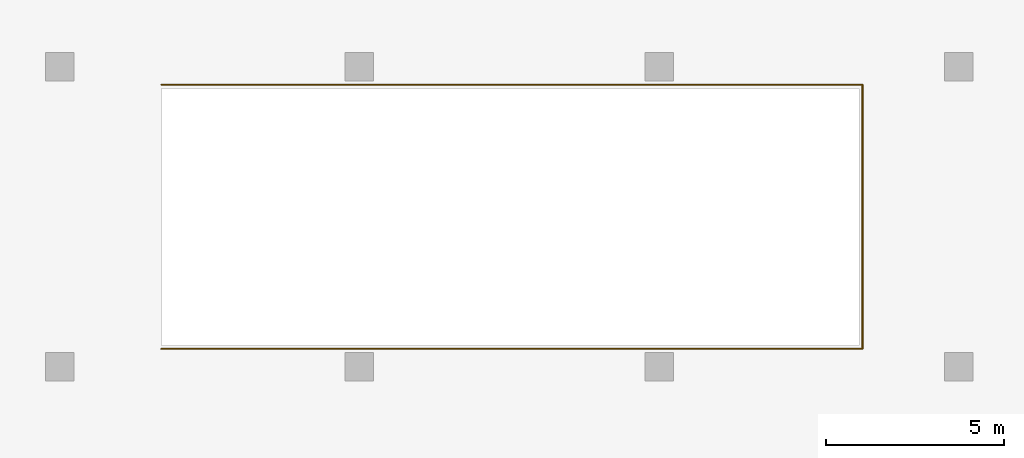
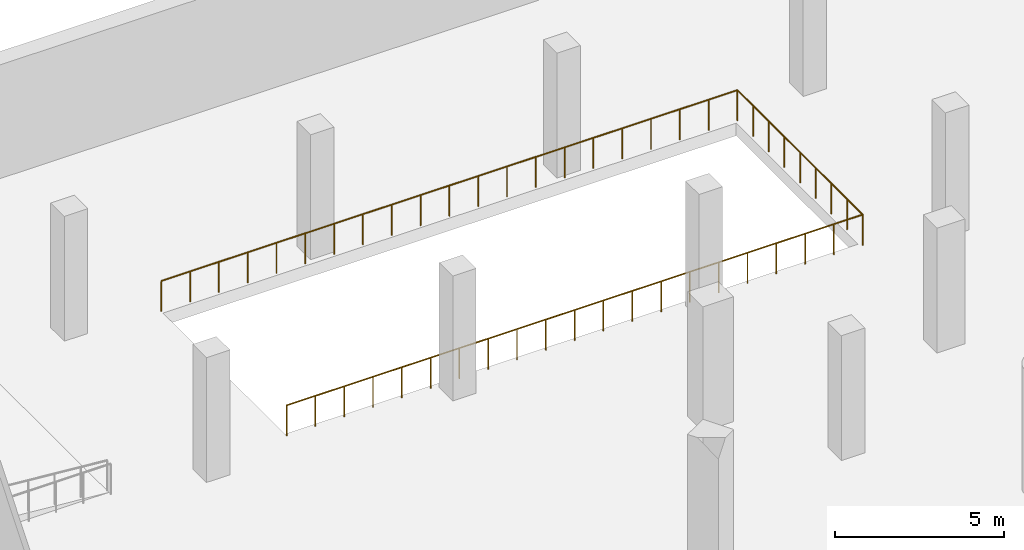
# One storey, part 19 of 21: 1 railing.
"""IFC4 building model written with IfcOpenShell, lengths in metres."""

from ifc_helpers import new_model, si_unit, direction, frame, origin, origin_2d, place, context, subcontext, project, spatial, circle, extrude, material, type_object, element, save


model = new_model("IFC4")

# Units and contexts
model_context = context("Model", 3, precision=1e-05, world=origin(), true_north=direction((0.0, 1.0)))
body_context = subcontext(model_context, "Body", "Model", "MODEL_VIEW")
ifc_project = project(units=[si_unit("LENGTHUNIT", "METRE"), si_unit("AREAUNIT", "SQUARE_METRE"), si_unit("VOLUMEUNIT", "CUBIC_METRE"), si_unit("PLANEANGLEUNIT", "RADIAN"), si_unit("MASSUNIT", "GRAM", prefix="KILO")], contexts=[model_context])

# Site, building, storey
site_placement = place(None, origin())
site = spatial("IfcSite", under=ifc_project, at=site_placement, CompositionType="ELEMENT")
building_placement = place(site_placement, origin())
building = spatial("IfcBuilding", under=site, at=building_placement, Name="Trine Commons Tower", CompositionType="ELEMENT")
storey_placement = place(building_placement, frame((0.0, 0.0, -4.5)))
storey = spatial("IfcBuildingStorey", under=building, at=storey_placement, Name="B1", CompositionType="ELEMENT", Elevation=-4.5)

# Railing
ifc_material = material(Name="Structural steel ASTM A500 Gr C", Category="steel")
railing_type = type_object("IfcRailingType", Name="Steel guard 1120 mm, ASTM A500 Gr C", PredefinedType="GUARDRAIL", material=ifc_material)
railing_placement = place(storey_placement, frame((40.85009765625, 88.199951171875, 0.0)))
element("IfcRailing", 1, at=railing_placement, inside=storey, type_object=railing_type, Name="B1 floor opening guard over ramp R2", PredefinedType="GUARDRAIL", context=body_context, shape_type="SweptSolid", body=[
    extrude(circle(Radius=0.02392578125, at=origin_2d()), frame((0.0, 0.0, 1.09619140625), z_axis=(1.0, 0.0, 0.0), x_axis=(0.0, 1.0, 0.0)), (0.0, 0.0, 1.0), 19.64990234375),
    extrude(circle(Radius=0.02392578125, at=origin_2d()), frame((19.64990234375, 0.0, 1.09619140625), z_axis=(0.0, 1.0, 0.0), x_axis=(-1.0, 0.0, 0.0)), (0.0, 0.0, 1.0), 7.400146484375),
    extrude(circle(Radius=0.02392578125, at=origin_2d()), frame((19.64990234375, 7.400146484375, 1.09619140625), z_axis=(-1.0, 0.0, 0.0), x_axis=(0.0, -1.0, 0.0)), (0.0, 0.0, 1.0), 19.64990234375),
    extrude(circle(Radius=0.02099609375, at=origin_2d()), origin(), (0.0, 0.0, 1.0), 1.072021484375),
    extrude(circle(Radius=0.02099609375, at=origin_2d()), frame((0.982421875, 0.0, 0.0)), (0.0, 0.0, 1.0), 1.072021484375),
    extrude(circle(Radius=0.02099609375, at=origin_2d()), frame((1.965087890625, 0.0, 0.0)), (0.0, 0.0, 1.0), 1.072021484375),
    extrude(circle(Radius=0.02099609375, at=origin_2d()), frame((2.947509765625, 0.0, 0.0)), (0.0, 0.0, 1.0), 1.072021484375),
    extrude(circle(Radius=0.02099609375, at=origin_2d()), frame((3.929931640625, 0.0, 0.0)), (0.0, 0.0, 1.0), 1.072021484375),
    extrude(circle(Radius=0.02099609375, at=origin_2d()), frame((4.91259765625, 0.0, 0.0)), (0.0, 0.0, 1.0), 1.072021484375),
    extrude(circle(Radius=0.02099609375, at=origin_2d()), frame((5.89501953125, 0.0, 0.0)), (0.0, 0.0, 1.0), 1.072021484375),
    extrude(circle(Radius=0.02099609375, at=origin_2d()), frame((6.87744140625, 0.0, 0.0)), (0.0, 0.0, 1.0), 1.072021484375),
    extrude(circle(Radius=0.02099609375, at=origin_2d()), frame((7.85986328125, 0.0, 0.0)), (0.0, 0.0, 1.0), 1.072021484375),
    extrude(circle(Radius=0.02099609375, at=origin_2d()), frame((8.842529296875, 0.0, 0.0)), (0.0, 0.0, 1.0), 1.072021484375),
    extrude(circle(Radius=0.02099609375, at=origin_2d()), frame((9.824951171875, 0.0, 0.0)), (0.0, 0.0, 1.0), 1.072021484375),
    extrude(circle(Radius=0.02099609375, at=origin_2d()), frame((10.807373046875, 0.0, 0.0)), (0.0, 0.0, 1.0), 1.072021484375),
    extrude(circle(Radius=0.02099609375, at=origin_2d()), frame((11.7900390625, 0.0, 0.0)), (0.0, 0.0, 1.0), 1.072021484375),
    extrude(circle(Radius=0.02099609375, at=origin_2d()), frame((12.7724609375, 0.0, 0.0)), (0.0, 0.0, 1.0), 1.072021484375),
    extrude(circle(Radius=0.02099609375, at=origin_2d()), frame((13.7548828125, 0.0, 0.0)), (0.0, 0.0, 1.0), 1.072021484375),
    extrude(circle(Radius=0.02099609375, at=origin_2d()), frame((14.7373046875, 0.0, 0.0)), (0.0, 0.0, 1.0), 1.072021484375),
    extrude(circle(Radius=0.02099609375, at=origin_2d()), frame((15.719970703125, 0.0, 0.0)), (0.0, 0.0, 1.0), 1.072021484375),
    extrude(circle(Radius=0.02099609375, at=origin_2d()), frame((16.702392578125, 0.0, 0.0)), (0.0, 0.0, 1.0), 1.072021484375),
    extrude(circle(Radius=0.02099609375, at=origin_2d()), frame((17.684814453125, 0.0, 0.0)), (0.0, 0.0, 1.0), 1.072021484375),
    extrude(circle(Radius=0.02099609375, at=origin_2d()), frame((18.66748046875, 0.0, 0.0)), (0.0, 0.0, 1.0), 1.072021484375),
    extrude(circle(Radius=0.02099609375, at=origin_2d()), frame((19.64990234375, 0.0, 0.0)), (0.0, 0.0, 1.0), 1.072021484375),
    extrude(circle(Radius=0.02099609375, at=origin_2d()), frame((19.64990234375, 0.925048828125, 0.0)), (0.0, 0.0, 1.0), 1.072021484375),
    extrude(circle(Radius=0.02099609375, at=origin_2d()), frame((19.64990234375, 1.85009765625, 0.0)), (0.0, 0.0, 1.0), 1.072021484375),
    extrude(circle(Radius=0.02099609375, at=origin_2d()), frame((19.64990234375, 2.775146484375, 0.0)), (0.0, 0.0, 1.0), 1.072021484375),
    extrude(circle(Radius=0.02099609375, at=origin_2d()), frame((19.64990234375, 3.7001953125, 0.0)), (0.0, 0.0, 1.0), 1.072021484375),
    extrude(circle(Radius=0.02099609375, at=origin_2d()), frame((19.64990234375, 4.625, 0.0)), (0.0, 0.0, 1.0), 1.072021484375),
    extrude(circle(Radius=0.02099609375, at=origin_2d()), frame((19.64990234375, 5.550048828125, 0.0)), (0.0, 0.0, 1.0), 1.072021484375),
    extrude(circle(Radius=0.02099609375, at=origin_2d()), frame((19.64990234375, 6.47509765625, 0.0)), (0.0, 0.0, 1.0), 1.072021484375),
    extrude(circle(Radius=0.02099609375, at=origin_2d()), frame((19.64990234375, 7.400146484375, 0.0)), (0.0, 0.0, 1.0), 1.072021484375),
    extrude(circle(Radius=0.02099609375, at=origin_2d()), frame((18.66748046875, 7.400146484375, 0.0)), (0.0, 0.0, 1.0), 1.072021484375),
    extrude(circle(Radius=0.02099609375, at=origin_2d()), frame((17.684814453125, 7.400146484375, 0.0)), (0.0, 0.0, 1.0), 1.072021484375),
    extrude(circle(Radius=0.02099609375, at=origin_2d()), frame((16.702392578125, 7.400146484375, 0.0)), (0.0, 0.0, 1.0), 1.072021484375),
    extrude(circle(Radius=0.02099609375, at=origin_2d()), frame((15.719970703125, 7.400146484375, 0.0)), (0.0, 0.0, 1.0), 1.072021484375),
    extrude(circle(Radius=0.02099609375, at=origin_2d()), frame((14.7373046875, 7.400146484375, 0.0)), (0.0, 0.0, 1.0), 1.072021484375),
    extrude(circle(Radius=0.02099609375, at=origin_2d()), frame((13.7548828125, 7.400146484375, 0.0)), (0.0, 0.0, 1.0), 1.072021484375),
    extrude(circle(Radius=0.02099609375, at=origin_2d()), frame((12.7724609375, 7.400146484375, 0.0)), (0.0, 0.0, 1.0), 1.072021484375),
    extrude(circle(Radius=0.02099609375, at=origin_2d()), frame((11.7900390625, 7.400146484375, 0.0)), (0.0, 0.0, 1.0), 1.072021484375),
    extrude(circle(Radius=0.02099609375, at=origin_2d()), frame((10.807373046875, 7.400146484375, 0.0)), (0.0, 0.0, 1.0), 1.072021484375),
    extrude(circle(Radius=0.02099609375, at=origin_2d()), frame((9.824951171875, 7.400146484375, 0.0)), (0.0, 0.0, 1.0), 1.072021484375),
    extrude(circle(Radius=0.02099609375, at=origin_2d()), frame((8.842529296875, 7.400146484375, 0.0)), (0.0, 0.0, 1.0), 1.072021484375),
    extrude(circle(Radius=0.02099609375, at=origin_2d()), frame((7.85986328125, 7.400146484375, 0.0)), (0.0, 0.0, 1.0), 1.072021484375),
    extrude(circle(Radius=0.02099609375, at=origin_2d()), frame((6.87744140625, 7.400146484375, 0.0)), (0.0, 0.0, 1.0), 1.072021484375),
    extrude(circle(Radius=0.02099609375, at=origin_2d()), frame((5.89501953125, 7.400146484375, 0.0)), (0.0, 0.0, 1.0), 1.072021484375),
    extrude(circle(Radius=0.02099609375, at=origin_2d()), frame((4.91259765625, 7.400146484375, 0.0)), (0.0, 0.0, 1.0), 1.072021484375),
    extrude(circle(Radius=0.02099609375, at=origin_2d()), frame((3.929931640625, 7.400146484375, 0.0)), (0.0, 0.0, 1.0), 1.072021484375),
    extrude(circle(Radius=0.02099609375, at=origin_2d()), frame((2.947509765625, 7.400146484375, 0.0)), (0.0, 0.0, 1.0), 1.072021484375),
    extrude(circle(Radius=0.02099609375, at=origin_2d()), frame((1.965087890625, 7.400146484375, 0.0)), (0.0, 0.0, 1.0), 1.072021484375),
    extrude(circle(Radius=0.02099609375, at=origin_2d()), frame((0.982421875, 7.400146484375, 0.0)), (0.0, 0.0, 1.0), 1.072021484375),
    extrude(circle(Radius=0.02099609375, at=origin_2d()), frame((0.0, 7.400146484375, 0.0)), (0.0, 0.0, 1.0), 1.072021484375),
])

save(model, "model.ifc")
